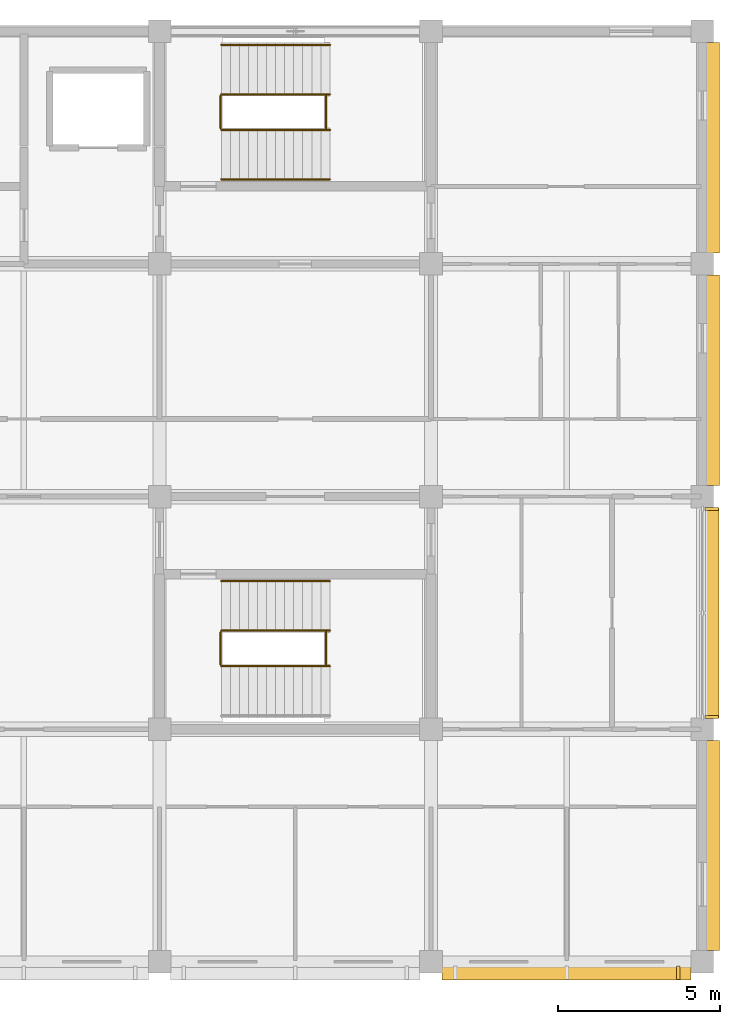
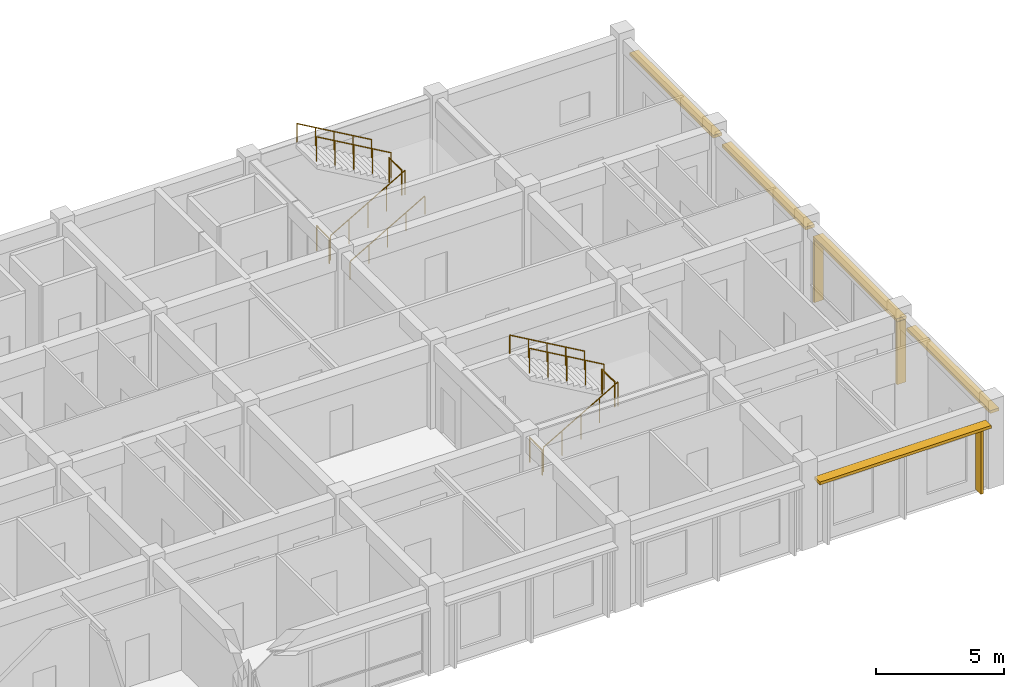
# One storey, part 19 of 19: 11 railings, 8 shading devices.
"""IFC4 building model written with IfcOpenShell, lengths in metres."""

from ifc_helpers import new_model, si_unit, direction, frame, origin, origin_2d, place, context, subcontext, project, spatial, rectangle, circle, extrude, material, type_object, element, save


model = new_model("IFC4")

# Units and contexts
model_context = context("Model", 3, precision=1e-05, world=origin(), true_north=direction((0.0, 1.0)))
body_context = subcontext(model_context, "Body", "Model", "MODEL_VIEW")
ifc_project = project(units=[si_unit("LENGTHUNIT", "METRE"), si_unit("AREAUNIT", "SQUARE_METRE"), si_unit("VOLUMEUNIT", "CUBIC_METRE"), si_unit("PLANEANGLEUNIT", "RADIAN"), si_unit("MASSUNIT", "GRAM", prefix="KILO")], contexts=[model_context])

# Site, building, storey
site_placement = place(None, origin())
site = spatial("IfcSite", under=ifc_project, at=site_placement, CompositionType="ELEMENT")
building_placement = place(site_placement, origin())
building = spatial("IfcBuilding", under=site, at=building_placement, Name="Chengyuan Square Courthouse", CompositionType="ELEMENT")
storey_placement = place(building_placement, frame((0.0, 0.0, 56.10009765625)))
storey = spatial("IfcBuildingStorey", under=building, at=storey_placement, Name="L13", CompositionType="ELEMENT", Elevation=56.10009765625)

# Railings
ifc_material_1 = material(Name="Tempered Glass and Timber Top-Rail Balustrade", Category="wood")
railing_type_1 = type_object("IfcRailingType", Name="RL-02", PredefinedType="BALUSTRADE", material=ifc_material_1)
for number, where, name in (
    (1, (102.68994140625, 105.0, 0.0), "Stair Floor Slot Guard ST-2 L13"),
    (2, (105.949951171875, 105.0, 2.099853515625), "Stair Landing Guard ST-2-L13"),
):
    element("IfcRailing", number, at=place(storey_placement, frame(where)), inside=storey, type_object=railing_type_1, Name=name, PredefinedType="BALUSTRADE", context=body_context, shape_type="SweptSolid", body=[
        extrude(circle(Radius=0.02392578125, at=origin_2d()), frame((0.0, 0.0, 1.17578125), z_axis=(0.0, 1.0, 0.0), x_axis=(-1.0, 0.0, 0.0)), (0.0, 0.0, 1.0), 1.0),
        extrude(circle(Radius=0.02099609375, at=origin_2d()), origin(), (0.0, 0.0, 1.0), 1.15185546875),
        extrude(circle(Radius=0.02099609375, at=origin_2d()), frame((0.0, 1.0, 0.0)), (0.0, 0.0, 1.0), 1.15185546875),
    ])
railing_1_placement = place(storey_placement, frame((102.7099609375, 104.949951171875, 0.161376953125)))
element("IfcRailing", 3, at=railing_1_placement, inside=storey, type_object=railing_type_1, Name="Stair Flight 1 Guard ST-2-L13", PredefinedType="BALUSTRADE", context=body_context, shape_type="SweptSolid", body=[
    extrude(circle(Radius=0.02392578125, at=origin_2d()), frame((0.0, 0.0, 1.17578125), z_axis=(0.866190824863, 0.0, 0.499713372768), x_axis=(0.0, 1.0, 0.0)), (0.0, 0.0, 1.0), 3.879150390625),
    extrude(circle(Radius=0.02099609375, at=origin_2d()), origin(), (0.0, 0.0, 1.0), 1.15185546875),
    extrude(circle(Radius=0.02099609375, at=origin_2d()), frame((0.840087890625, 0.0, 0.484619140625)), (0.0, 0.0, 1.0), 1.15185546875),
    extrude(circle(Radius=0.02099609375, at=origin_2d()), frame((1.68017578125, 0.0, 0.96923828125)), (0.0, 0.0, 1.0), 1.15185546875),
    extrude(circle(Radius=0.02099609375, at=origin_2d()), frame((2.52001953125, 0.0, 1.453857421875)), (0.0, 0.0, 1.0), 1.15185546875),
    extrude(circle(Radius=0.02099609375, at=origin_2d()), frame((3.360107421875, 0.0, 1.9384765625)), (0.0, 0.0, 1.0), 1.15185546875),
])
railing_2_placement = place(storey_placement, frame((106.070068359375, 106.050048828125, 2.261474609375)))
element("IfcRailing", 4, at=railing_2_placement, inside=storey, type_object=railing_type_1, Name="Stair Flight 2 Guard ST-2-L13", PredefinedType="BALUSTRADE", context=body_context, shape_type="SweptSolid", body=[
    extrude(circle(Radius=0.02392578125, at=origin_2d()), frame((0.0, 0.0, 1.17578125), z_axis=(-0.866190824863, 0.0, 0.499713372768), x_axis=(0.0, -1.0, 0.0)), (0.0, 0.0, 1.0), 3.879150390625),
    extrude(circle(Radius=0.02099609375, at=origin_2d()), origin(), (0.0, 0.0, 1.0), 1.15185546875),
    extrude(circle(Radius=0.02099609375, at=origin_2d()), frame((-0.840087890625, 0.0, 0.484619140625)), (0.0, 0.0, 1.0), 1.15185546875),
    extrude(circle(Radius=0.02099609375, at=origin_2d()), frame((-1.68017578125, 0.0, 0.96923828125)), (0.0, 0.0, 1.0), 1.15185546875),
    extrude(circle(Radius=0.02099609375, at=origin_2d()), frame((-2.52001953125, 0.0, 1.453857421875)), (0.0, 0.0, 1.0), 1.15185546875),
    extrude(circle(Radius=0.02099609375, at=origin_2d()), frame((-3.360107421875, 0.0, 1.9384765625)), (0.0, 0.0, 1.0), 1.15185546875),
])
for number, where, name in (
    (5, (102.68994140625, 88.39990234375, 0.0), "Stair Floor Slot Guard ST-4 L13"),
    (6, (105.949951171875, 88.39990234375, 2.099853515625), "Stair Landing Guard ST-4-L13"),
):
    element("IfcRailing", number, at=place(storey_placement, frame(where)), inside=storey, type_object=railing_type_1, Name=name, PredefinedType="BALUSTRADE", context=body_context, shape_type="SweptSolid", body=[
        extrude(circle(Radius=0.02392578125, at=origin_2d()), frame((0.0, 0.0, 1.17578125), z_axis=(0.0, 1.0, 0.0), x_axis=(-1.0, 0.0, 0.0)), (0.0, 0.0, 1.0), 1.0),
        extrude(circle(Radius=0.02099609375, at=origin_2d()), origin(), (0.0, 0.0, 1.0), 1.15185546875),
        extrude(circle(Radius=0.02099609375, at=origin_2d()), frame((0.0, 1.0, 0.0)), (0.0, 0.0, 1.0), 1.15185546875),
    ])
railing_3_placement = place(storey_placement, frame((102.7099609375, 88.35009765625, 0.161376953125)))
element("IfcRailing", 7, at=railing_3_placement, inside=storey, type_object=railing_type_1, Name="Stair Flight 1 Guard ST-4-L13", PredefinedType="BALUSTRADE", context=body_context, shape_type="SweptSolid", body=[
    extrude(circle(Radius=0.02392578125, at=origin_2d()), frame((0.0, 0.0, 1.17578125), z_axis=(0.866190824863, 0.0, 0.499713372768), x_axis=(0.0, 1.0, 0.0)), (0.0, 0.0, 1.0), 3.879150390625),
    extrude(circle(Radius=0.02099609375, at=origin_2d()), origin(), (0.0, 0.0, 1.0), 1.15185546875),
    extrude(circle(Radius=0.02099609375, at=origin_2d()), frame((0.840087890625, 0.0, 0.484619140625)), (0.0, 0.0, 1.0), 1.15185546875),
    extrude(circle(Radius=0.02099609375, at=origin_2d()), frame((1.68017578125, 0.0, 0.96923828125)), (0.0, 0.0, 1.0), 1.15185546875),
    extrude(circle(Radius=0.02099609375, at=origin_2d()), frame((2.52001953125, 0.0, 1.453857421875)), (0.0, 0.0, 1.0), 1.15185546875),
    extrude(circle(Radius=0.02099609375, at=origin_2d()), frame((3.360107421875, 0.0, 1.9384765625)), (0.0, 0.0, 1.0), 1.15185546875),
])
railing_4_placement = place(storey_placement, frame((106.070068359375, 89.449951171875, 2.261474609375)))
element("IfcRailing", 8, at=railing_4_placement, inside=storey, type_object=railing_type_1, Name="Stair Flight 2 Guard ST-4-L13", PredefinedType="BALUSTRADE", context=body_context, shape_type="SweptSolid", body=[
    extrude(circle(Radius=0.02392578125, at=origin_2d()), frame((0.0, 0.0, 1.17578125), z_axis=(-0.866190824863, 0.0, 0.499713372768), x_axis=(0.0, -1.0, 0.0)), (0.0, 0.0, 1.0), 3.879150390625),
    extrude(circle(Radius=0.02099609375, at=origin_2d()), origin(), (0.0, 0.0, 1.0), 1.15185546875),
    extrude(circle(Radius=0.02099609375, at=origin_2d()), frame((-0.840087890625, 0.0, 0.484619140625)), (0.0, 0.0, 1.0), 1.15185546875),
    extrude(circle(Radius=0.02099609375, at=origin_2d()), frame((-1.68017578125, 0.0, 0.96923828125)), (0.0, 0.0, 1.0), 1.15185546875),
    extrude(circle(Radius=0.02099609375, at=origin_2d()), frame((-2.52001953125, 0.0, 1.453857421875)), (0.0, 0.0, 1.0), 1.15185546875),
    extrude(circle(Radius=0.02099609375, at=origin_2d()), frame((-3.360107421875, 0.0, 1.9384765625)), (0.0, 0.0, 1.0), 1.15185546875),
])
ifc_material_2 = material(Name="Stainless Steel S30408 Stair Handrail", Category="steel")
railing_type_2 = type_object("IfcRailingType", Name="RL-04", PredefinedType="HANDRAIL", material=ifc_material_2)
railing_5_placement = place(storey_placement, frame((102.7099609375, 103.419921875, 0.161376953125)))
element("IfcRailing", 9, at=railing_5_placement, inside=storey, type_object=railing_type_2, Name="Stair Flight 1 Handrail ST-2-L13", PredefinedType="HANDRAIL", context=body_context, shape_type="SweptSolid", body=[
    extrude(circle(Radius=0.02392578125, at=origin_2d()), frame((0.0, 0.0, 0.8759765625), z_axis=(0.866190824863, 0.0, 0.499713372768), x_axis=(0.0, 1.0, 0.0)), (0.0, 0.0, 1.0), 3.879150390625),
    extrude(circle(Radius=0.02099609375, at=origin_2d()), origin(), (0.0, 0.0, 1.0), 0.851806640625),
    extrude(circle(Radius=0.02099609375, at=origin_2d()), frame((0.840087890625, 0.0, 0.484619140625)), (0.0, 0.0, 1.0), 0.851806640625),
    extrude(circle(Radius=0.02099609375, at=origin_2d()), frame((1.68017578125, 0.0, 0.96923828125)), (0.0, 0.0, 1.0), 0.851806640625),
    extrude(circle(Radius=0.02099609375, at=origin_2d()), frame((2.52001953125, 0.0, 1.453857421875)), (0.0, 0.0, 1.0), 0.851806640625),
    extrude(circle(Radius=0.02099609375, at=origin_2d()), frame((3.360107421875, 0.0, 1.9384765625)), (0.0, 0.0, 1.0), 0.851806640625),
])
for number, where, name in (
    (10, (106.070068359375, 107.580078125, 2.261474609375), "Stair Flight 2 Handrail ST-2-L13"),
    (11, (106.070068359375, 90.97998046875, 2.261474609375), "Stair Flight 2 Handrail ST-4-L13"),
):
    element("IfcRailing", number, at=place(storey_placement, frame(where)), inside=storey, type_object=railing_type_2, Name=name, PredefinedType="HANDRAIL", context=body_context, shape_type="SweptSolid", body=[
        extrude(circle(Radius=0.02392578125, at=origin_2d()), frame((0.0, 0.0, 0.8759765625), z_axis=(-0.866190824863, 0.0, 0.499713372768), x_axis=(0.0, -1.0, 0.0)), (0.0, 0.0, 1.0), 3.879150390625),
        extrude(circle(Radius=0.02099609375, at=origin_2d()), origin(), (0.0, 0.0, 1.0), 0.851806640625),
        extrude(circle(Radius=0.02099609375, at=origin_2d()), frame((-0.840087890625, 0.0, 0.484619140625)), (0.0, 0.0, 1.0), 0.851806640625),
        extrude(circle(Radius=0.02099609375, at=origin_2d()), frame((-1.68017578125, 0.0, 0.96923828125)), (0.0, 0.0, 1.0), 0.851806640625),
        extrude(circle(Radius=0.02099609375, at=origin_2d()), frame((-2.52001953125, 0.0, 1.453857421875)), (0.0, 0.0, 1.0), 0.851806640625),
        extrude(circle(Radius=0.02099609375, at=origin_2d()), frame((-3.360107421875, 0.0, 1.9384765625)), (0.0, 0.0, 1.0), 0.851806640625),
    ])

# Shading devices
ifc_material_3 = material(Name="Glulam TCt28 Solar Shading Fin", Category="wood")
shading_device_type_1 = type_object("IfcShadingDeviceType", Name="SHD-01", PredefinedType="JALOUSIE", material=ifc_material_3)
for number, where, z_axis, x_axis, name in (
    (12, (117.89208984375, 86.782470703125, 0.0400390625), (0.0, 0.0, 1.0), (1.0, 0.0, 0.0), "Glulam Solar Fin SHD-L13-0908"),
    (13, (117.89208984375, 93.217529296875, 0.0400390625), (0.0, 0.0, 1.0), (1.0, 0.0, 0.0), "Glulam Solar Fin SHD-L13-0909"),
):
    element("IfcShadingDevice", number, at=place(storey_placement, frame(where, z_axis=z_axis, x_axis=x_axis)), inside=storey, type_object=shading_device_type_1, Name=name, PredefinedType="JALOUSIE", context=body_context, shape_type="SweptSolid", body=[
        extrude(rectangle(XDim=0.419921875, YDim=0.094970703125, at=origin_2d()), origin(), (0.0, 0.0, 1.0), 2.989990234375),
    ])
ifc_material_4 = material(Name="Glulam TCt28 Sunshade Louvre", Category="wood")
shading_device_type_2 = type_object("IfcShadingDeviceType", Name="SHD-02", PredefinedType="AWNING", material=ifc_material_4)
shading_device_1_placement = place(storey_placement, frame((113.39990234375, 78.85791015625, 3.02978515625), z_axis=(0.0, 0.0, 1.0), x_axis=(1.0, 0.0, 0.0)))
element("IfcShadingDevice", 14, at=shading_device_1_placement, inside=storey, type_object=shading_device_type_2, Name="Glulam Sunshade Cornice SHD-L13-0906", PredefinedType="AWNING", context=body_context, shape_type="SweptSolid", body=[
    extrude(rectangle(XDim=7.7099609375, YDim=0.43994140625, at=origin_2d()), origin(), (0.0, 0.0, 1.0), 0.139892578125),
])
shading_device_2_placement = place(storey_placement, frame((117.89208984375, 90.0, 3.02978515625), z_axis=(0.0, 0.0, 1.0), x_axis=(0.0, 1.0, 0.0)))
element("IfcShadingDevice", 15, at=shading_device_2_placement, inside=storey, type_object=shading_device_type_2, Name="Glulam Sunshade Louvre SHD-L13-0910", PredefinedType="AWNING", context=body_context, shape_type="SweptSolid", body=[
    extrude(rectangle(XDim=6.5, YDim=0.43994140625, at=origin_2d()), origin(), (0.0, 0.0, 1.0), 0.139892578125),
])
ifc_material_5 = material(Name="Glulam TCt28 Facade Sunshade", Category="wood")
shading_device_type_3 = type_object("IfcShadingDeviceType", Name="SHD-03", PredefinedType="AWNING", material=ifc_material_5)
for number, where, z_axis, x_axis, name in (
    (16, (117.931884765625, 82.800048828125, 3.009765625), (0.0, 0.0, 1.0), (0.0, 1.0, 0.0), "Glulam Facade Sunshade SHD-L13-0907"),
    (17, (117.931884765625, 97.199951171875, 3.009765625), (0.0, 0.0, 1.0), (0.0, 1.0, 0.0), "Glulam Facade Sunshade SHD-L13-0911"),
    (18, (117.931884765625, 104.39990234375, 3.009765625), (0.0, 0.0, 1.0), (0.0, 1.0, 0.0), "Glulam Facade Sunshade SHD-L13-0912"),
):
    element("IfcShadingDevice", number, at=place(storey_placement, frame(where, z_axis=z_axis, x_axis=x_axis)), inside=storey, type_object=shading_device_type_3, Name=name, PredefinedType="AWNING", context=body_context, shape_type="SweptSolid", body=[
        extrude(rectangle(XDim=6.510009765625, YDim=0.39990234375, at=origin_2d()), origin(), (0.0, 0.0, 1.0), 0.139892578125),
    ])
ifc_material_6 = material(Name="Glulam TCt28 Chamber Solar Fin", Category="wood")
shading_device_type_4 = type_object("IfcShadingDeviceType", Name="SHD-04", PredefinedType="JALOUSIE", material=ifc_material_6)
shading_device_3_placement = place(storey_placement, frame((116.85009765625, 78.85791015625, 0.0400390625), z_axis=(0.0, 0.0, 1.0), x_axis=(0.0, 1.0, 0.0)))
element("IfcShadingDevice", 19, at=shading_device_3_placement, inside=storey, type_object=shading_device_type_4, Name="Glulam Chamber Fin SHD-L13-0905", PredefinedType="JALOUSIE", context=body_context, shape_type="SweptSolid", body=[
    extrude(rectangle(XDim=0.419921875, YDim=0.110107421875, at=origin_2d()), origin(), (0.0, 0.0, 1.0), 2.989990234375),
])

save(model, "model.ifc")
